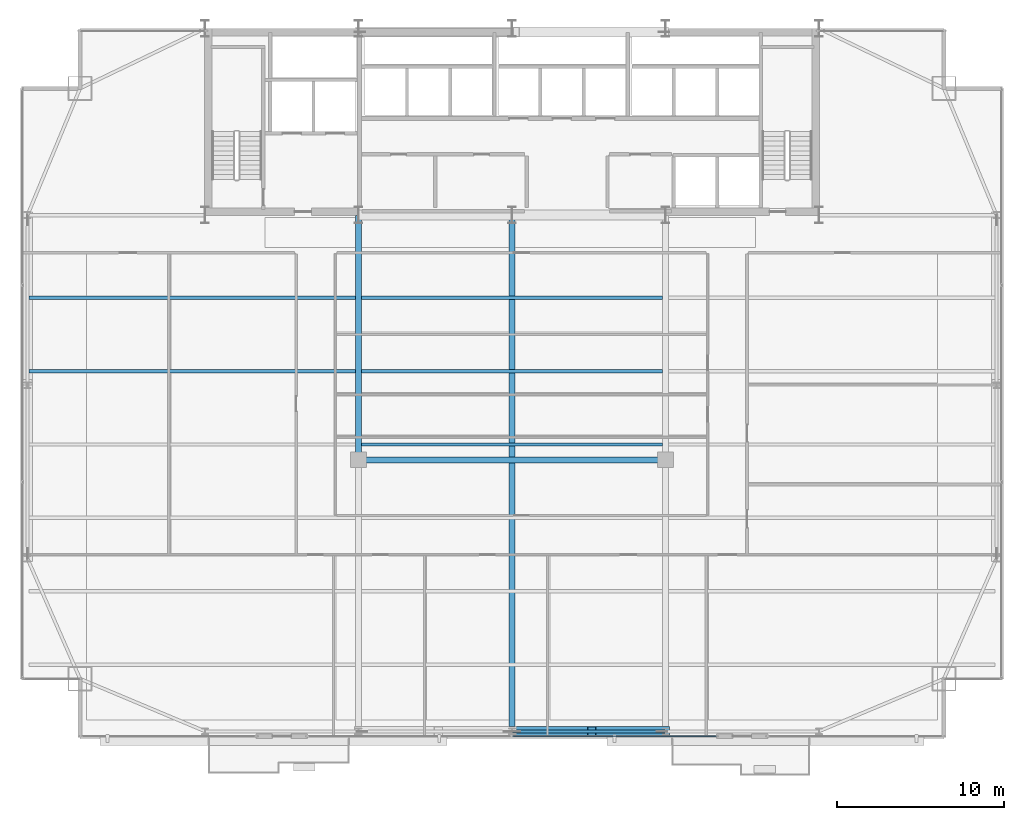
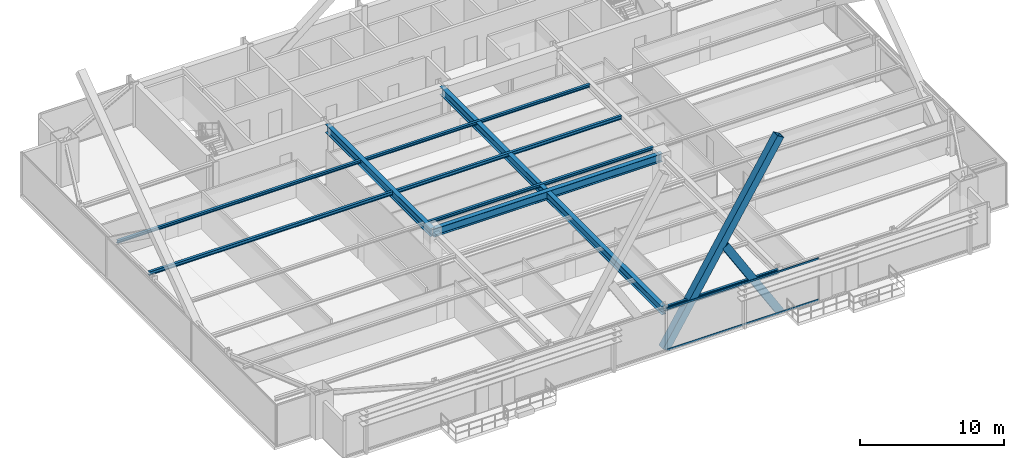
# One storey, part 12 of 37: 9 beams, 4 members, 1 element without a shape of its own.
"""IFC4 building model written with IfcOpenShell, lengths in metres."""

from ifc_helpers import new_model, si_unit, direction, frame, origin, origin_2d, place, context, subcontext, project, spatial, hollow_rectangle, i_section, extrude, source, transform, mapped, material, layer, layer_set, material_profile, profile_set, type_object, type_shapes, element, aggregate, save


model = new_model("IFC4")

# Units and contexts
model_context = context("Model", 3, precision=1e-05, world=origin(), true_north=direction((0.0, 1.0)))
body_context = subcontext(model_context, "Body", "Model", "MODEL_VIEW")
ifc_project = project(units=[si_unit("LENGTHUNIT", "METRE"), si_unit("AREAUNIT", "SQUARE_METRE"), si_unit("VOLUMEUNIT", "CUBIC_METRE"), si_unit("PLANEANGLEUNIT", "RADIAN"), si_unit("MASSUNIT", "GRAM", prefix="KILO")], contexts=[model_context])

# Site, building, storey
site_placement = place(None, origin())
site = spatial("IfcSite", under=ifc_project, at=site_placement, CompositionType="ELEMENT")
building_placement = place(site_placement, origin())
building = spatial("IfcBuilding", under=site, at=building_placement, Name="Varnel Quay Broadcast Tower", CompositionType="ELEMENT")
storey_placement = place(building_placement, frame((0.0, 0.0, 103.0)))
storey = spatial("IfcBuildingStorey", under=building, at=storey_placement, Name="L24", CompositionType="ELEMENT", Elevation=103.0)

# Beams
ifc_material_1 = material(Name="Structural Steel CSA G40.21 350W", Category="steel")
ifc_material_profile_1 = material_profile(ifc_material_1, i_section(OverallWidth=0.180908203125, OverallDepth=0.4169921875, WebThickness=0.010986328125, FlangeThickness=0.018310546875, FilletRadius=0.011962890625, at=origin_2d()), Name="W410X85")
ifc_profile_set_1 = profile_set([ifc_material_profile_1], Name="Structural Steel CSA G40.21 350W")
beam_type_1 = type_object("IfcBeamType", Name="Beam_W410X85", PredefinedType="SPANDREL", material=ifc_profile_set_1)
shared_shape_1 = source(origin(), body_context, "Body", "SweptSolid", [
    extrude(i_section(OverallWidth=0.180908203125, OverallDepth=0.4169921875, WebThickness=0.010986328125, FlangeThickness=0.018310546875, FilletRadius=0.011962890625, at=origin_2d()), origin(), (0.0, 0.0, 1.0), 9.159912109375),
])
type_shapes(beam_type_1, [shared_shape_1])
beam_1_placement = place(storey_placement, frame((34.02001953125, 4.64990234375, 3.341552734375), z_axis=(1.0, 0.0, 0.0), x_axis=(0.0, 1.0, 0.0)))
element("IfcBeam", 1, at=beam_1_placement, inside=storey, type_object=beam_type_1, Name="L24 South Spandrel TC-S3-TC-S4", PredefinedType="SPANDREL", context=body_context, shape_type="MappedRepresentation", body=[
    mapped(shared_shape_1, transform((0.0, 0.0, 0.0), x_axis=(1.0, 0.0, 0.0), y_axis=(0.0, 1.0, 0.0), z_axis=(0.0, 0.0, 1.0), scale=1.0)),
])
ifc_material_profile_2 = material_profile(ifc_material_1, i_section(OverallWidth=0.35498046875, OverallDepth=0.695068359375, WebThickness=0.015380859375, FlangeThickness=0.02490234375, FilletRadius=0.01806640625, at=origin_2d()), Name="W690X217")
ifc_profile_set_2 = profile_set([ifc_material_profile_2], Name="Structural Steel CSA G40.21 350W")
beam_type_2 = type_object("IfcBeamType", Name="Girder_W690X217", PredefinedType="BEAM", material=ifc_profile_set_2)
shared_shape_2 = source(origin(), body_context, "Body", "SweptSolid", [
    extrude(i_section(OverallWidth=0.35498046875, OverallDepth=0.695068359375, WebThickness=0.015380859375, FlangeThickness=0.02490234375, FilletRadius=0.01806640625, at=origin_2d()), origin(), (0.0, 0.0, 1.0), 14.630126953125),
])
beam_2_placement = place(storey_placement, frame((24.800048828125, 20.949951171875, 3.202392578125), z_axis=(0.0, 1.0, 0.0), x_axis=(-1.0, 0.0, 0.0)))
element("IfcBeam", 2, at=beam_2_placement, inside=storey, type_object=beam_type_2, Name="L24 Primary Girder IC-01-CC-S2", PredefinedType="BEAM", context=body_context, shape_type="MappedRepresentation", body=[
    mapped(shared_shape_2, transform((0.0, 0.0, 0.0), x_axis=(1.0, 0.0, 0.0), y_axis=(0.0, 1.0, 0.0), z_axis=(0.0, 0.0, 1.0), scale=1.0)),
])
shared_shape_3 = source(origin(), body_context, "Body", "SweptSolid", [
    extrude(i_section(OverallWidth=0.35498046875, OverallDepth=0.695068359375, WebThickness=0.015380859375, FlangeThickness=0.02490234375, FilletRadius=0.01806640625, at=origin_2d()), origin(), (0.0, 0.0, 1.0), 18.35986328125),
])
beam_3_placement = place(storey_placement, frame((24.820068359375, 20.929931640625, 3.202392578125), z_axis=(1.0, 0.0, 0.0), x_axis=(0.0, 1.0, 0.0)))
element("IfcBeam", 3, at=beam_3_placement, inside=storey, type_object=beam_type_2, Name="L24 Interior Spine Girder", PredefinedType="BEAM", context=body_context, shape_type="MappedRepresentation", body=[
    mapped(shared_shape_3, transform((0.0, 0.0, 0.0), x_axis=(1.0, 0.0, 0.0), y_axis=(0.0, 1.0, 0.0), z_axis=(0.0, 0.0, 1.0), scale=1.0)),
])
shared_shape_4 = source(origin(), body_context, "Body", "SweptSolid", [
    extrude(i_section(OverallWidth=0.35498046875, OverallDepth=0.695068359375, WebThickness=0.015380859375, FlangeThickness=0.02490234375, FilletRadius=0.01806640625, at=origin_2d()), origin(), (0.0, 0.0, 1.0), 30.91015625),
])
type_shapes(beam_type_2, [shared_shape_2, shared_shape_3, shared_shape_4])
beam_4_placement = place(storey_placement, frame((34.0, 4.669921875, 3.202392578125), z_axis=(0.0, 1.0, 0.0), x_axis=(-1.0, 0.0, 0.0)))
element("IfcBeam", 4, at=beam_4_placement, inside=storey, type_object=beam_type_2, Name="L24 Central Bay Girder", PredefinedType="BEAM", context=body_context, shape_type="MappedRepresentation", body=[
    mapped(shared_shape_4, transform((0.0, 0.0, 0.0), x_axis=(1.0, 0.0, 0.0), y_axis=(0.0, 1.0, 0.0), z_axis=(0.0, 0.0, 1.0), scale=1.0)),
])
ifc_material_profile_3 = material_profile(ifc_material_1, i_section(OverallWidth=0.202880859375, OverallDepth=0.302978515625, WebThickness=0.007568359375, FlangeThickness=0.01318359375, FilletRadius=0.011962890625, at=origin_2d()), Name="W310X60")
ifc_profile_set_3 = profile_set([ifc_material_profile_3], Name="Structural Steel CSA G40.21 350W")
beam_type_3 = type_object("IfcBeamType", Name="Beam_W310X60", PredefinedType="JOIST", material=ifc_profile_set_3)
shared_shape_5 = source(origin(), body_context, "Body", "SweptSolid", [
    extrude(i_section(OverallWidth=0.202880859375, OverallDepth=0.302978515625, WebThickness=0.007568359375, FlangeThickness=0.01318359375, FilletRadius=0.011962890625, at=origin_2d()), origin(), (0.0, 0.0, 1.0), 19.592041015625),
])
beam_5_placement = place(storey_placement, frame((5.035400390625, 26.25, 3.3984375), z_axis=(1.0, 0.0, 0.0), x_axis=(0.0, 1.0, 0.0)))
element("IfcBeam", 5, at=beam_5_placement, inside=storey, type_object=beam_type_3, Name="L24 West Floor Joist 5", PredefinedType="JOIST", context=body_context, shape_type="MappedRepresentation", body=[
    mapped(shared_shape_5, transform((0.0, 0.0, 0.0), x_axis=(1.0, 0.0, 0.0), y_axis=(0.0, 1.0, 0.0), z_axis=(0.0, 0.0, 1.0), scale=1.0)),
])
shared_shape_6 = source(origin(), body_context, "Body", "SweptSolid", [
    extrude(i_section(OverallWidth=0.202880859375, OverallDepth=0.302978515625, WebThickness=0.007568359375, FlangeThickness=0.01318359375, FilletRadius=0.011962890625, at=origin_2d()), origin(), (0.0, 0.0, 1.0), 18.05517578125),
])
type_shapes(beam_type_3, [shared_shape_5, shared_shape_6])
beam_6_placement = place(storey_placement, frame((24.972412109375, 26.25, 3.3984375), z_axis=(1.0, 0.0, 0.0), x_axis=(0.0, 1.0, 0.0)))
element("IfcBeam", 6, at=beam_6_placement, inside=storey, type_object=beam_type_3, Name="L24 Central Floor Joist 5", PredefinedType="JOIST", context=body_context, shape_type="MappedRepresentation", body=[
    mapped(shared_shape_6, transform((0.0, 0.0, 0.0), x_axis=(1.0, 0.0, 0.0), y_axis=(0.0, 1.0, 0.0), z_axis=(0.0, 0.0, 1.0), scale=1.0)),
])
ifc_material_profile_4 = material_profile(ifc_material_1, i_section(OverallWidth=0.201904296875, OverallDepth=0.2470703125, WebThickness=0.00732421875, FlangeThickness=0.010986328125, FilletRadius=0.010986328125, at=origin_2d()), Name="W250X49")
ifc_profile_set_4 = profile_set([ifc_material_profile_4], Name="Structural Steel CSA G40.21 350W")
beam_type_4 = type_object("IfcBeamType", Name="Beam_W250X49", PredefinedType="JOIST", material=ifc_profile_set_4)
shared_shape_7 = source(origin(), body_context, "Body", "SweptSolid", [
    extrude(i_section(OverallWidth=0.201904296875, OverallDepth=0.2470703125, WebThickness=0.00732421875, FlangeThickness=0.010986328125, FilletRadius=0.010986328125, at=origin_2d()), origin(), (0.0, 0.0, 1.0), 19.592041015625),
])
beam_7_placement = place(storey_placement, frame((5.035400390625, 30.64990234375, 3.426513671875), z_axis=(1.0, 0.0, 0.0), x_axis=(0.0, 1.0, 0.0)))
element("IfcBeam", 7, at=beam_7_placement, inside=storey, type_object=beam_type_4, Name="L24 West Floor Joist 6", PredefinedType="JOIST", context=body_context, shape_type="MappedRepresentation", body=[
    mapped(shared_shape_7, transform((0.0, 0.0, 0.0), x_axis=(1.0, 0.0, 0.0), y_axis=(0.0, 1.0, 0.0), z_axis=(0.0, 0.0, 1.0), scale=1.0)),
])
shared_shape_8 = source(origin(), body_context, "Body", "SweptSolid", [
    extrude(i_section(OverallWidth=0.201904296875, OverallDepth=0.2470703125, WebThickness=0.00732421875, FlangeThickness=0.010986328125, FilletRadius=0.010986328125, at=origin_2d()), origin(), (0.0, 0.0, 1.0), 18.05517578125),
])
type_shapes(beam_type_4, [shared_shape_7, shared_shape_8])
for number, where, z_axis, x_axis, name in (
    (8, (24.972412109375, 21.85009765625, 3.426513671875), (1.0, 0.0, 0.0), (0.0, 1.0, 0.0), "L24 Central Floor Joist 4"),
    (9, (24.972412109375, 30.64990234375, 3.426513671875), (1.0, 0.0, 0.0), (0.0, 1.0, 0.0), "L24 Central Floor Joist 6"),
):
    element("IfcBeam", number, at=place(storey_placement, frame(where, z_axis=z_axis, x_axis=x_axis)), inside=storey, type_object=beam_type_4, Name=name, PredefinedType="JOIST", context=body_context, shape_type="MappedRepresentation", body=[
        mapped(shared_shape_8, transform((0.0, 0.0, 0.0), x_axis=(1.0, 0.0, 0.0), y_axis=(0.0, 1.0, 0.0), z_axis=(0.0, 0.0, 1.0), scale=1.0)),
    ])

# Members
ifc_material_2 = material(Name="Structural Steel CSA G40.21 350WT", Category="steel")
ifc_material_profile_5 = material_profile(ifc_material_2, hollow_rectangle(XDim=0.60009765625, YDim=0.60009765625, WallThickness=0.028076171875, at=origin_2d()), Name="BOX600X600X28")
ifc_profile_set_5 = profile_set([ifc_material_profile_5], Name="Structural Steel CSA G40.21 350WT")
member_type_1 = type_object("IfcMemberType", Name="Brace_BOX600X600X28", PredefinedType="BRACE", material=ifc_profile_set_5)
shared_shape_9 = source(origin(), body_context, "Body", "SweptSolid", [
    extrude(hollow_rectangle(XDim=0.60009765625, YDim=0.60009765625, WallThickness=0.028076171875, at=origin_2d()), origin(), (0.0, 0.0, 1.0), 17.519775390625),
])
member_1_placement = place(storey_placement, frame((34.0, 4.64990234375, 0.02001953125), z_axis=(0.525116345996, 0.0, 0.85103044785), x_axis=(0.0, 1.0, 0.0)))
element("IfcMember", 10, at=member_1_placement, inside=storey, type_object=member_type_1, Name="Zone 2 Mega-Brace S-C2T2 Continuous Diag A", PredefinedType="BRACE", context=body_context, shape_type="MappedRepresentation", body=[
    mapped(shared_shape_9, transform((0.0, 0.0, 0.0), x_axis=(1.0, 0.0, 0.0), y_axis=(0.0, 1.0, 0.0), z_axis=(0.0, 0.0, 1.0), scale=1.0)),
])
shared_shape_10 = source(origin(), body_context, "Body", "SweptSolid", [
    extrude(hollow_rectangle(XDim=0.60009765625, YDim=0.60009765625, WallThickness=0.028076171875, at=origin_2d()), origin(), (0.0, 0.0, 1.0), 8.399169921875),
])
type_shapes(member_type_1, [shared_shape_9, shared_shape_10])
member_2_placement = place(storey_placement, frame((43.199951171875, 4.64990234375, 0.02001953125), z_axis=(-0.525125243666, 0.0, 0.851024957604), x_axis=(0.0, -1.0, 0.0)))
element("IfcMember", 11, at=member_2_placement, inside=storey, type_object=member_type_1, Name="Zone 2 Mega-Brace S-C2T2 Split Diag B1", PredefinedType="BRACE", context=body_context, shape_type="MappedRepresentation", body=[
    mapped(shared_shape_10, transform((0.0, 0.0, 0.0), x_axis=(1.0, 0.0, 0.0), y_axis=(0.0, 1.0, 0.0), z_axis=(0.0, 0.0, 1.0), scale=1.0)),
])

# Curtain wall, members
ifc_material_3 = material(Name="Anodised Bronze Aluminium 6063-T6", Category="aluminium")
ifc_layer = layer(ifc_material_3, 0.18994140625, Name="Anodised Bronze Aluminium 6063-T6")
ifc_layer_set = layer_set([ifc_layer], Name="Anodised Bronze Aluminium 6063-T6")
curtain_wall_type = type_object("IfcCurtainWallType", Name="CW_LowerTower", PredefinedType="NOTDEFINED", material=ifc_layer_set)
curtain_wall_placement = place(storey_placement, origin())
curtain_wall = element("IfcCurtainWall", 12, at=curtain_wall_placement, inside=storey, type_object=curtain_wall_type, Name="L24 South Unitised Curtain Wall 2", PredefinedType="NOTDEFINED")
ifc_material_profile_6 = material_profile(ifc_material_3, hollow_rectangle(XDim=0.06005859375, YDim=0.14501953125, WallThickness=0.00341796875, at=origin_2d()), Name="ALU60X145X3.5")
ifc_profile_set_6 = profile_set([ifc_material_profile_6], Name="Anodised Bronze Aluminium 6063-T6")
member_type_2 = type_object("IfcMemberType", Name="Tran_CWS-02", PredefinedType="USERDEFINED", material=ifc_profile_set_6)
shared_shape_11 = source(origin(), body_context, "Body", "SweptSolid", [
    extrude(hollow_rectangle(XDim=0.06005859375, YDim=0.14501953125, WallThickness=0.00341796875, at=origin_2d()), origin(), (0.0, 0.0, 1.0), 12.215087890625),
])
type_shapes(member_type_2, [shared_shape_11])
member_3_placement = place(storey_placement, frame((34.034912109375, 4.35009765625, 0.030029296875), z_axis=(1.0, 0.0, 0.0), x_axis=(0.0, 1.0, 0.0)))
member_3 = element("IfcMember", 13, at=member_3_placement, type_object=member_type_2, Name="CWS-02 transom 2.1", ObjectType="TRANSOM", PredefinedType="USERDEFINED", context=body_context, shape_type="MappedRepresentation", body=[
    mapped(shared_shape_11, transform((0.0, 0.0, 0.0), x_axis=(1.0, 0.0, 0.0), y_axis=(0.0, 1.0, 0.0), z_axis=(0.0, 0.0, 1.0), scale=1.0)),
])
member_4_placement = place(storey_placement, frame((34.034912109375, 4.35009765625, 3.52001953125), z_axis=(1.0, 0.0, 0.0), x_axis=(0.0, 1.0, 0.0)))
member_4 = element("IfcMember", 14, at=member_4_placement, type_object=member_type_2, Name="CWS-02 transom 2.2", ObjectType="TRANSOM", PredefinedType="USERDEFINED", context=body_context, shape_type="MappedRepresentation", body=[
    mapped(shared_shape_11, transform((0.0, 0.0, 0.0), x_axis=(1.0, 0.0, 0.0), y_axis=(0.0, 1.0, 0.0), z_axis=(0.0, 0.0, 1.0), scale=1.0)),
])
aggregate(curtain_wall, [member_3, member_4])

save(model, "model.ifc")
